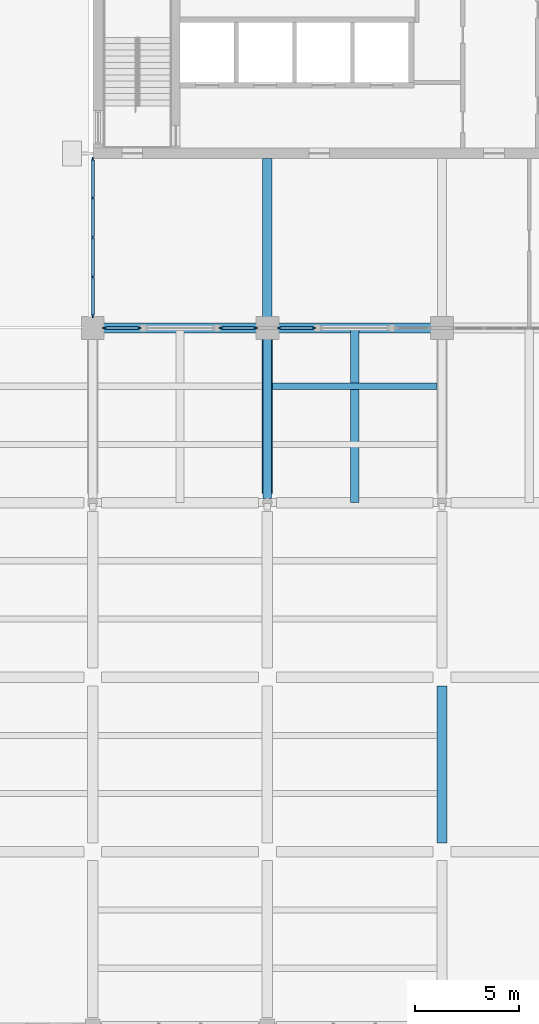
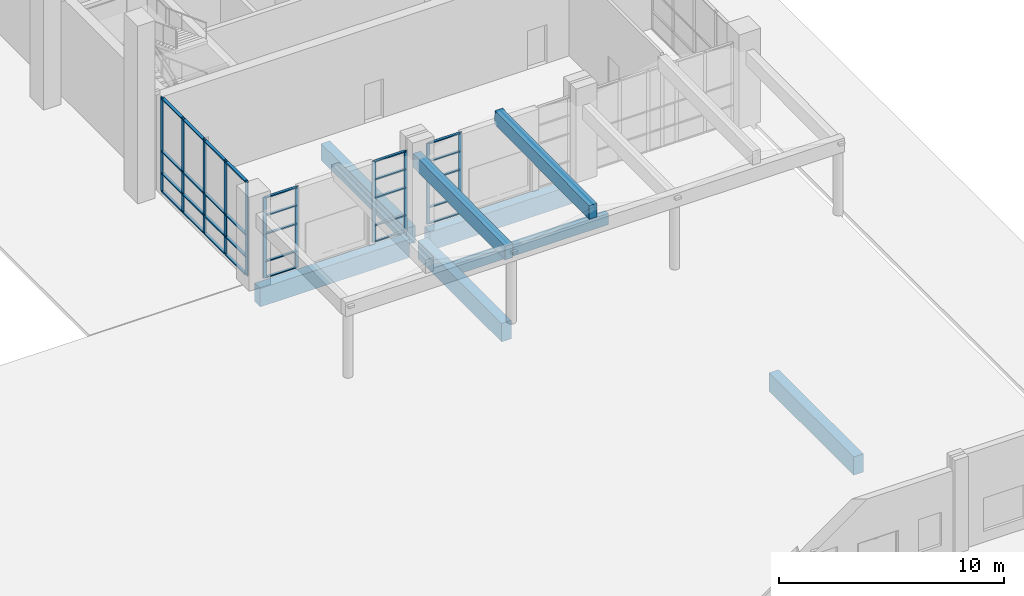
# One storey, part 8 of 74: 42 members, 8 beams, 4 elements without a shape of their own.
"""IFC4 building model written with IfcOpenShell, lengths in metres."""

from ifc_helpers import new_model, si_unit, direction, frame, origin, origin_2d, place, context, subcontext, project, spatial, rectangle, extrude, material, layer, layer_set, material_profile, profile_set, type_object, element, aggregate, save


model = new_model("IFC4")

# Units and contexts
model_context = context("Model", 3, precision=1e-05, world=origin(), true_north=direction((0.0, 1.0)))
body_context = subcontext(model_context, "Body", "Model", "MODEL_VIEW")
ifc_project = project(units=[si_unit("LENGTHUNIT", "METRE"), si_unit("AREAUNIT", "SQUARE_METRE"), si_unit("VOLUMEUNIT", "CUBIC_METRE"), si_unit("PLANEANGLEUNIT", "RADIAN"), si_unit("MASSUNIT", "GRAM", prefix="KILO")], contexts=[model_context])

# Site, building, storey
site_placement = place(None, origin())
site = spatial("IfcSite", under=ifc_project, at=site_placement, CompositionType="ELEMENT")
building_placement = place(site_placement, origin())
building = spatial("IfcBuilding", under=site, at=building_placement, Name="Rulbaag Community and Learning Centre", CompositionType="ELEMENT")
storey_placement = place(building_placement, origin())
storey = spatial("IfcBuildingStorey", under=building, at=storey_placement, Name="L00", CompositionType="ELEMENT", Elevation=0.0)

# Beams
ifc_material_1 = material(Name="Concrete M40", Category="concrete")
ifc_material_profile_1 = material_profile(ifc_material_1, rectangle(XDim=0.449951171875, YDim=0.89990234375, at=origin_2d()), Name="RB450x900")
ifc_profile_set_1 = profile_set([ifc_material_profile_1], Name="Concrete M40")
beam_type_1 = type_object("IfcBeamType", Name="B10 Ground floor beam 450x900 Concrete M40", PredefinedType="BEAM", material=ifc_profile_set_1)
beam_1_placement = place(storey_placement, frame((151.199951171875, 84.530029296875, -0.75), z_axis=(0.0, 1.0, 0.0), x_axis=(-1.0, 0.0, 0.0)))
element("IfcBeam", 1, at=beam_1_placement, inside=storey, type_object=beam_type_1, Name="BM-L00-19K-19L", PredefinedType="BEAM", context=body_context, shape_type="SweptSolid", body=[
    extrude(rectangle(XDim=0.449951171875, YDim=0.89990234375, at=origin_2d()), origin(), (0.0, 0.0, 1.0), 7.619873046875),
])
ifc_material_profile_2 = material_profile(ifc_material_1, rectangle(XDim=0.5, YDim=1.0, at=origin_2d()), Name="RB500x1000")
ifc_profile_set_2 = profile_set([ifc_material_profile_2], Name="Concrete M40")
beam_type_2 = type_object("IfcBeamType", Name="B12 Plaza deck beam 500x1000 Concrete M40", PredefinedType="BEAM", material=ifc_profile_set_2)
beam_2_placement = place(storey_placement, frame((143.0, 84.0, -0.800048828125), z_axis=(1.0, 0.0, 0.0), x_axis=(0.0, 1.0, 0.0)))
element("IfcBeam", 2, at=beam_2_placement, inside=storey, type_object=beam_type_2, Name="BM-L00-18K-19K", PredefinedType="BEAM", context=body_context, shape_type="SweptSolid", body=[
    extrude(rectangle(XDim=0.5, YDim=1.0, at=origin_2d()), origin(), (0.0, 0.0, 1.0), 7.669921875),
])
beam_3_placement = place(storey_placement, frame((151.199951171875, 76.030029296875, -0.800048828125), z_axis=(0.0, 1.0, 0.0), x_axis=(-1.0, 0.0, 0.0)))
element("IfcBeam", 3, at=beam_3_placement, inside=storey, type_object=beam_type_2, Name="BM-L00-19J-19K", PredefinedType="BEAM", context=body_context, shape_type="SweptSolid", body=[
    extrude(rectangle(XDim=0.5, YDim=1.0, at=origin_2d()), origin(), (0.0, 0.0, 1.0), 7.43994140625),
])
beam_4_placement = place(storey_placement, frame((151.72998046875, 84.0, -0.800048828125), z_axis=(1.0, 0.0, 0.0), x_axis=(0.0, 1.0, 0.0)))
element("IfcBeam", 4, at=beam_4_placement, inside=storey, type_object=beam_type_2, Name="BM-L00-19K-20K", PredefinedType="BEAM", context=body_context, shape_type="SweptSolid", body=[
    extrude(rectangle(XDim=0.5, YDim=1.0, at=origin_2d()), origin(), (0.0, 0.0, 1.0), 7.340087890625),
])
beam_5_placement = place(storey_placement, frame((159.60009765625, 59.22998046875, -0.800048828125), z_axis=(0.0, 1.0, 0.0), x_axis=(-1.0, 0.0, 0.0)))
element("IfcBeam", 5, at=beam_5_placement, inside=storey, type_object=beam_type_2, Name="BM-L00-20H-20I", PredefinedType="BEAM", context=body_context, shape_type="SweptSolid", body=[
    extrude(rectangle(XDim=0.5, YDim=1.0, at=origin_2d()), origin(), (0.0, 0.0, 1.0), 7.5400390625),
])
ifc_material_profile_3 = material_profile(ifc_material_1, rectangle(XDim=0.300048828125, YDim=0.60009765625, at=origin_2d()), Name="RB300x600")
ifc_profile_set_3 = profile_set([ifc_material_profile_3], Name="Concrete M40")
beam_type_3 = type_object("IfcBeamType", Name="B30 Secondary joist 300x600 Concrete M40", PredefinedType="BEAM", material=ifc_profile_set_3)
beam_6_placement = place(storey_placement, frame((151.449951171875, 81.199951171875, -0.60009765625), z_axis=(1.0, 0.0, 0.0), x_axis=(0.0, 1.0, 0.0)))
element("IfcBeam", 6, at=beam_6_placement, inside=storey, type_object=beam_type_3, Name="BM-JS-L00-19J-2", PredefinedType="BEAM", context=body_context, shape_type="SweptSolid", body=[
    extrude(rectangle(XDim=0.300048828125, YDim=0.60009765625, at=origin_2d()), origin(), (0.0, 0.0, 1.0), 7.900146484375),
])
ifc_material_profile_4 = material_profile(ifc_material_1, rectangle(XDim=0.39990234375, YDim=0.75, at=origin_2d()), Name="RB400x750")
ifc_profile_set_4 = profile_set([ifc_material_profile_4], Name="Concrete M40")
beam_type_4 = type_object("IfcBeamType", Name="BP1 Porch valley beam 400x750 Concrete M40", PredefinedType="BEAM", material=ifc_profile_set_4)
beam_7_placement = place(storey_placement, frame((151.199951171875, 84.0, 3.72314453125), z_axis=(0.0, -0.999954332431, -0.009556832724), x_axis=(1.0, 0.0, 0.0)))
element("IfcBeam", 7, at=beam_7_placement, inside=storey, type_object=beam_type_4, Name="BM-PORCH-T2", PredefinedType="BEAM", context=body_context, shape_type="SweptSolid", body=[
    extrude(rectangle(XDim=0.39990234375, YDim=0.75, at=origin_2d()), origin(), (0.0, 0.0, 1.0), 8.200439453125),
])
beam_8_placement = place(storey_placement, frame((155.39990234375, 84.0, 4.580322265625), z_axis=(0.0, -0.999954284482, -0.009561848503), x_axis=(1.0, 0.0, 0.0)))
element("IfcBeam", 8, at=beam_8_placement, inside=storey, type_object=beam_type_4, Name="BM-PORCH-TR2", PredefinedType="BEAM", context=body_context, shape_type="SweptSolid", body=[
    extrude(rectangle(XDim=0.39990234375, YDim=0.75, at=origin_2d()), origin(), (0.0, 0.0, 1.0), 8.400390625),
])

# Curtain wall, members
ifc_material_2 = material(Name="Aluminium", Category="aluminium")
ifc_layer_1 = layer(ifc_material_2, 0.14990234375)
ifc_layer_set_1 = layer_set([ifc_layer_1], Name="CW-S")
curtain_wall_type_1 = type_object("IfcCurtainWallType", Name="CW-S", PredefinedType="USERDEFINED", material=ifc_layer_set_1)
curtain_wall_1_placement = place(storey_placement, origin())
curtain_wall_1 = element("IfcCurtainWall", 9, at=curtain_wall_1_placement, inside=storey, type_object=curtain_wall_type_1, Name="GS-L00-01", ObjectType="UNITISED CURTAIN WALL", PredefinedType="USERDEFINED")
ifc_material_3 = material(Name="Aluminium mullion", Category="aluminium")
ifc_material_profile_5 = material_profile(ifc_material_3, rectangle(XDim=0.06005859375, YDim=0.175048828125, at=origin_2d()), Name="AL 60x175")
ifc_profile_set_5 = profile_set([ifc_material_profile_5], Name="Aluminium mullion")
member_type_1 = type_object("IfcMemberType", Name="CW-S-MUL", PredefinedType="MULLION", material=ifc_profile_set_5)
member_1_placement = place(storey_placement, frame((143.3798828125, 84.0, 0.0), z_axis=(0.0, 0.0, 1.0), x_axis=(0.0, 1.0, 0.0)))
member_1 = element("IfcMember", 10, at=member_1_placement, type_object=member_type_1, Name="GS mullion 1", PredefinedType="MULLION", context=body_context, shape_type="SweptSolid", body=[
    extrude(rectangle(XDim=0.06005859375, YDim=0.175048828125, at=origin_2d()), origin(), (0.0, 0.0, 1.0), 4.39990234375),
])
member_2_placement = place(storey_placement, frame((145.02001953125, 84.0, 0.0), z_axis=(0.0, 0.0, 1.0), x_axis=(0.0, 1.0, 0.0)))
member_2 = element("IfcMember", 11, at=member_2_placement, type_object=member_type_1, Name="GS mullion 2", PredefinedType="MULLION", context=body_context, shape_type="SweptSolid", body=[
    extrude(rectangle(XDim=0.06005859375, YDim=0.175048828125, at=origin_2d()), origin(), (0.0, 0.0, 1.0), 4.39990234375),
])

curtain_wall_2_placement = place(storey_placement, origin())
curtain_wall_2 = element("IfcCurtainWall", 12, at=curtain_wall_2_placement, inside=storey, type_object=curtain_wall_type_1, Name="GS-L00-02", ObjectType="UNITISED CURTAIN WALL", PredefinedType="USERDEFINED")
member_3_placement = place(storey_placement, frame((148.97998046875, 84.0, 0.0), z_axis=(0.0, 0.0, 1.0), x_axis=(0.0, 1.0, 0.0)))
member_3 = element("IfcMember", 13, at=member_3_placement, type_object=member_type_1, Name="GS mullion 1", PredefinedType="MULLION", context=body_context, shape_type="SweptSolid", body=[
    extrude(rectangle(XDim=0.06005859375, YDim=0.175048828125, at=origin_2d()), origin(), (0.0, 0.0, 1.0), 4.39990234375),
])
member_4_placement = place(storey_placement, frame((150.6201171875, 84.0, 0.0), z_axis=(0.0, 0.0, 1.0), x_axis=(0.0, 1.0, 0.0)))
member_4 = element("IfcMember", 14, at=member_4_placement, type_object=member_type_1, Name="GS mullion 2", PredefinedType="MULLION", context=body_context, shape_type="SweptSolid", body=[
    extrude(rectangle(XDim=0.06005859375, YDim=0.175048828125, at=origin_2d()), origin(), (0.0, 0.0, 1.0), 4.39990234375),
])

curtain_wall_3_placement = place(storey_placement, origin())
curtain_wall_3 = element("IfcCurtainWall", 15, at=curtain_wall_3_placement, inside=storey, type_object=curtain_wall_type_1, Name="GS-L00-03", ObjectType="UNITISED CURTAIN WALL", PredefinedType="USERDEFINED")
member_5_placement = place(storey_placement, frame((151.780029296875, 84.0, 0.0), z_axis=(0.0, 0.0, 1.0), x_axis=(0.0, 1.0, 0.0)))
member_5 = element("IfcMember", 16, at=member_5_placement, type_object=member_type_1, Name="GS mullion 1", PredefinedType="MULLION", context=body_context, shape_type="SweptSolid", body=[
    extrude(rectangle(XDim=0.06005859375, YDim=0.175048828125, at=origin_2d()), origin(), (0.0, 0.0, 1.0), 4.39990234375),
])
member_6_placement = place(storey_placement, frame((153.419921875, 84.0, 0.0), z_axis=(0.0, 0.0, 1.0), x_axis=(0.0, 1.0, 0.0)))
member_6 = element("IfcMember", 17, at=member_6_placement, type_object=member_type_1, Name="GS mullion 2", PredefinedType="MULLION", context=body_context, shape_type="SweptSolid", body=[
    extrude(rectangle(XDim=0.06005859375, YDim=0.175048828125, at=origin_2d()), origin(), (0.0, 0.0, 1.0), 4.39990234375),
])

# Member
ifc_material_4 = material(Name="Aluminium transom", Category="aluminium")
ifc_material_profile_6 = material_profile(ifc_material_4, rectangle(XDim=0.125, YDim=0.06005859375, at=origin_2d()), Name="AL 60x125 T")
ifc_profile_set_6 = profile_set([ifc_material_profile_6], Name="Aluminium transom")
member_type_2 = type_object("IfcMemberType", Name="CW-S-TRN", PredefinedType="USERDEFINED", material=ifc_profile_set_6)
member_7_placement = place(storey_placement, frame((143.409912109375, 84.0, 0.030029296875), z_axis=(1.0, 0.0, 0.0), x_axis=(0.0, 1.0, 0.0)))
member_7 = element("IfcMember", 18, at=member_7_placement, type_object=member_type_2, Name="GS transom 1.1", ObjectType="TRANSOM", PredefinedType="USERDEFINED", context=body_context, shape_type="SweptSolid", body=[
    extrude(rectangle(XDim=0.125, YDim=0.06005859375, at=origin_2d()), origin(), (0.0, 0.0, 1.0), 1.580078125),
])

member_8_placement = place(storey_placement, frame((143.409912109375, 84.0, 0.89990234375), z_axis=(1.0, 0.0, 0.0), x_axis=(0.0, 1.0, 0.0)))
member_8 = element("IfcMember", 19, at=member_8_placement, type_object=member_type_2, Name="GS transom 1.2", ObjectType="TRANSOM", PredefinedType="USERDEFINED", context=body_context, shape_type="SweptSolid", body=[
    extrude(rectangle(XDim=0.125, YDim=0.06005859375, at=origin_2d()), origin(), (0.0, 0.0, 1.0), 1.580078125),
])

member_9_placement = place(storey_placement, frame((143.409912109375, 84.0, 2.39990234375), z_axis=(1.0, 0.0, 0.0), x_axis=(0.0, 1.0, 0.0)))
member_9 = element("IfcMember", 20, at=member_9_placement, type_object=member_type_2, Name="GS transom 1.3", ObjectType="TRANSOM", PredefinedType="USERDEFINED", context=body_context, shape_type="SweptSolid", body=[
    extrude(rectangle(XDim=0.125, YDim=0.06005859375, at=origin_2d()), origin(), (0.0, 0.0, 1.0), 1.580078125),
])

member_10_placement = place(storey_placement, frame((143.409912109375, 84.0, 3.39990234375), z_axis=(1.0, 0.0, 0.0), x_axis=(0.0, 1.0, 0.0)))
member_10 = element("IfcMember", 21, at=member_10_placement, type_object=member_type_2, Name="GS transom 1.4", ObjectType="TRANSOM", PredefinedType="USERDEFINED", context=body_context, shape_type="SweptSolid", body=[
    extrude(rectangle(XDim=0.125, YDim=0.06005859375, at=origin_2d()), origin(), (0.0, 0.0, 1.0), 1.580078125),
])

member_11_placement = place(storey_placement, frame((143.409912109375, 84.0, 4.3701171875), z_axis=(1.0, 0.0, 0.0), x_axis=(0.0, 1.0, 0.0)))
member_11 = element("IfcMember", 22, at=member_11_placement, type_object=member_type_2, Name="GS transom 1.5", ObjectType="TRANSOM", PredefinedType="USERDEFINED", context=body_context, shape_type="SweptSolid", body=[
    extrude(rectangle(XDim=0.125, YDim=0.06005859375, at=origin_2d()), origin(), (0.0, 0.0, 1.0), 1.580078125),
])

aggregate(curtain_wall_1, [member_1, member_2, member_7, member_8, member_9, member_10, member_11])

member_12_placement = place(storey_placement, frame((149.010009765625, 84.0, 0.030029296875), z_axis=(1.0, 0.0, 0.0), x_axis=(0.0, 1.0, 0.0)))
member_12 = element("IfcMember", 23, at=member_12_placement, type_object=member_type_2, Name="GS transom 1.1", ObjectType="TRANSOM", PredefinedType="USERDEFINED", context=body_context, shape_type="SweptSolid", body=[
    extrude(rectangle(XDim=0.125, YDim=0.06005859375, at=origin_2d()), origin(), (0.0, 0.0, 1.0), 1.580078125),
])

member_13_placement = place(storey_placement, frame((149.010009765625, 84.0, 0.89990234375), z_axis=(1.0, 0.0, 0.0), x_axis=(0.0, 1.0, 0.0)))
member_13 = element("IfcMember", 24, at=member_13_placement, type_object=member_type_2, Name="GS transom 1.2", ObjectType="TRANSOM", PredefinedType="USERDEFINED", context=body_context, shape_type="SweptSolid", body=[
    extrude(rectangle(XDim=0.125, YDim=0.06005859375, at=origin_2d()), origin(), (0.0, 0.0, 1.0), 1.580078125),
])

member_14_placement = place(storey_placement, frame((149.010009765625, 84.0, 2.39990234375), z_axis=(1.0, 0.0, 0.0), x_axis=(0.0, 1.0, 0.0)))
member_14 = element("IfcMember", 25, at=member_14_placement, type_object=member_type_2, Name="GS transom 1.3", ObjectType="TRANSOM", PredefinedType="USERDEFINED", context=body_context, shape_type="SweptSolid", body=[
    extrude(rectangle(XDim=0.125, YDim=0.06005859375, at=origin_2d()), origin(), (0.0, 0.0, 1.0), 1.580078125),
])

member_15_placement = place(storey_placement, frame((149.010009765625, 84.0, 3.39990234375), z_axis=(1.0, 0.0, 0.0), x_axis=(0.0, 1.0, 0.0)))
member_15 = element("IfcMember", 26, at=member_15_placement, type_object=member_type_2, Name="GS transom 1.4", ObjectType="TRANSOM", PredefinedType="USERDEFINED", context=body_context, shape_type="SweptSolid", body=[
    extrude(rectangle(XDim=0.125, YDim=0.06005859375, at=origin_2d()), origin(), (0.0, 0.0, 1.0), 1.580078125),
])

member_16_placement = place(storey_placement, frame((149.010009765625, 84.0, 4.3701171875), z_axis=(1.0, 0.0, 0.0), x_axis=(0.0, 1.0, 0.0)))
member_16 = element("IfcMember", 27, at=member_16_placement, type_object=member_type_2, Name="GS transom 1.5", ObjectType="TRANSOM", PredefinedType="USERDEFINED", context=body_context, shape_type="SweptSolid", body=[
    extrude(rectangle(XDim=0.125, YDim=0.06005859375, at=origin_2d()), origin(), (0.0, 0.0, 1.0), 1.580078125),
])

aggregate(curtain_wall_2, [member_3, member_4, member_12, member_13, member_14, member_15, member_16])

member_17_placement = place(storey_placement, frame((151.81005859375, 84.0, 0.030029296875), z_axis=(1.0, 0.0, 0.0), x_axis=(0.0, 1.0, 0.0)))
member_17 = element("IfcMember", 28, at=member_17_placement, type_object=member_type_2, Name="GS transom 1.1", ObjectType="TRANSOM", PredefinedType="USERDEFINED", context=body_context, shape_type="SweptSolid", body=[
    extrude(rectangle(XDim=0.125, YDim=0.06005859375, at=origin_2d()), origin(), (0.0, 0.0, 1.0), 1.579833984375),
])

member_18_placement = place(storey_placement, frame((151.81005859375, 84.0, 0.89990234375), z_axis=(1.0, 0.0, 0.0), x_axis=(0.0, 1.0, 0.0)))
member_18 = element("IfcMember", 29, at=member_18_placement, type_object=member_type_2, Name="GS transom 1.2", ObjectType="TRANSOM", PredefinedType="USERDEFINED", context=body_context, shape_type="SweptSolid", body=[
    extrude(rectangle(XDim=0.125, YDim=0.06005859375, at=origin_2d()), origin(), (0.0, 0.0, 1.0), 1.579833984375),
])

member_19_placement = place(storey_placement, frame((151.81005859375, 84.0, 2.39990234375), z_axis=(1.0, 0.0, 0.0), x_axis=(0.0, 1.0, 0.0)))
member_19 = element("IfcMember", 30, at=member_19_placement, type_object=member_type_2, Name="GS transom 1.3", ObjectType="TRANSOM", PredefinedType="USERDEFINED", context=body_context, shape_type="SweptSolid", body=[
    extrude(rectangle(XDim=0.125, YDim=0.06005859375, at=origin_2d()), origin(), (0.0, 0.0, 1.0), 1.579833984375),
])

member_20_placement = place(storey_placement, frame((151.81005859375, 84.0, 3.39990234375), z_axis=(1.0, 0.0, 0.0), x_axis=(0.0, 1.0, 0.0)))
member_20 = element("IfcMember", 31, at=member_20_placement, type_object=member_type_2, Name="GS transom 1.4", ObjectType="TRANSOM", PredefinedType="USERDEFINED", context=body_context, shape_type="SweptSolid", body=[
    extrude(rectangle(XDim=0.125, YDim=0.06005859375, at=origin_2d()), origin(), (0.0, 0.0, 1.0), 1.579833984375),
])

member_21_placement = place(storey_placement, frame((151.81005859375, 84.0, 4.3701171875), z_axis=(1.0, 0.0, 0.0), x_axis=(0.0, 1.0, 0.0)))
member_21 = element("IfcMember", 32, at=member_21_placement, type_object=member_type_2, Name="GS transom 1.5", ObjectType="TRANSOM", PredefinedType="USERDEFINED", context=body_context, shape_type="SweptSolid", body=[
    extrude(rectangle(XDim=0.125, YDim=0.06005859375, at=origin_2d()), origin(), (0.0, 0.0, 1.0), 1.579833984375),
])

aggregate(curtain_wall_3, [member_5, member_6, member_17, member_18, member_19, member_20, member_21])

# Curtain wall, members
ifc_layer_2 = layer(ifc_material_2, 0.14990234375)
ifc_layer_set_2 = layer_set([ifc_layer_2], Name="CW-T")
curtain_wall_type_2 = type_object("IfcCurtainWallType", Name="CW-T", PredefinedType="USERDEFINED", material=ifc_layer_set_2)
curtain_wall_4_placement = place(storey_placement, origin())
curtain_wall_4 = element("IfcCurtainWall", 33, at=curtain_wall_4_placement, inside=storey, type_object=curtain_wall_type_2, Name="GT-L00-02", ObjectType="UNITISED CURTAIN WALL", PredefinedType="USERDEFINED")
ifc_material_profile_7 = material_profile(ifc_material_3, rectangle(XDim=0.06494140625, YDim=0.199951171875, at=origin_2d()), Name="AL 65x200")
ifc_profile_set_7 = profile_set([ifc_material_profile_7], Name="Aluminium mullion")
member_type_3 = type_object("IfcMemberType", Name="CW-T-MUL", PredefinedType="MULLION", material=ifc_profile_set_7)
member_22_placement = place(storey_placement, frame((142.800048828125, 84.58251953125, 0.0), z_axis=(0.0, 0.0, 1.0), x_axis=(-1.0, 0.0, 0.0)))
member_22 = element("IfcMember", 34, at=member_22_placement, type_object=member_type_3, Name="GT mullion 1", PredefinedType="MULLION", context=body_context, shape_type="SweptSolid", body=[
    extrude(rectangle(XDim=0.06494140625, YDim=0.199951171875, at=origin_2d()), origin(), (0.0, 0.0, 1.0), 5.10009765625),
])
member_23_placement = place(storey_placement, frame((142.800048828125, 86.449951171875, 0.0), z_axis=(0.0, 0.0, 1.0), x_axis=(-1.0, 0.0, 0.0)))
member_23 = element("IfcMember", 35, at=member_23_placement, type_object=member_type_3, Name="GT mullion 2", PredefinedType="MULLION", context=body_context, shape_type="SweptSolid", body=[
    extrude(rectangle(XDim=0.06494140625, YDim=0.199951171875, at=origin_2d()), origin(), (0.0, 0.0, 1.0), 5.10009765625),
])
member_24_placement = place(storey_placement, frame((142.800048828125, 88.35009765625, 0.0), z_axis=(0.0, 0.0, 1.0), x_axis=(-1.0, 0.0, 0.0)))
member_24 = element("IfcMember", 36, at=member_24_placement, type_object=member_type_3, Name="GT mullion 3", PredefinedType="MULLION", context=body_context, shape_type="SweptSolid", body=[
    extrude(rectangle(XDim=0.06494140625, YDim=0.199951171875, at=origin_2d()), origin(), (0.0, 0.0, 1.0), 5.10009765625),
])
member_25_placement = place(storey_placement, frame((142.800048828125, 90.25, 0.0), z_axis=(0.0, 0.0, 1.0), x_axis=(-1.0, 0.0, 0.0)))
member_25 = element("IfcMember", 37, at=member_25_placement, type_object=member_type_3, Name="GT mullion 4", PredefinedType="MULLION", context=body_context, shape_type="SweptSolid", body=[
    extrude(rectangle(XDim=0.06494140625, YDim=0.199951171875, at=origin_2d()), origin(), (0.0, 0.0, 1.0), 5.10009765625),
])
member_26_placement = place(storey_placement, frame((142.800048828125, 92.117431640625, 0.0), z_axis=(0.0, 0.0, 1.0), x_axis=(-1.0, 0.0, 0.0)))
member_26 = element("IfcMember", 38, at=member_26_placement, type_object=member_type_3, Name="GT mullion 5", PredefinedType="MULLION", context=body_context, shape_type="SweptSolid", body=[
    extrude(rectangle(XDim=0.06494140625, YDim=0.199951171875, at=origin_2d()), origin(), (0.0, 0.0, 1.0), 5.10009765625),
])
ifc_material_profile_8 = material_profile(ifc_material_4, rectangle(XDim=0.14990234375, YDim=0.06494140625, at=origin_2d()), Name="AL 65x150 T")
ifc_profile_set_8 = profile_set([ifc_material_profile_8], Name="Aluminium transom")
member_type_4 = type_object("IfcMemberType", Name="CW-T-TRN", PredefinedType="USERDEFINED", material=ifc_profile_set_8)
member_27_placement = place(storey_placement, frame((142.800048828125, 84.614990234375, 0.032470703125), z_axis=(0.0, 1.0, 0.0), x_axis=(-1.0, 0.0, 0.0)))
member_27 = element("IfcMember", 39, at=member_27_placement, type_object=member_type_4, Name="GT transom 1.1", ObjectType="TRANSOM", PredefinedType="USERDEFINED", context=body_context, shape_type="SweptSolid", body=[
    extrude(rectangle(XDim=0.14990234375, YDim=0.06494140625, at=origin_2d()), origin(), (0.0, 0.0, 1.0), 1.802490234375),
])
member_28_placement = place(storey_placement, frame((142.800048828125, 84.614990234375, 1.0), z_axis=(0.0, 1.0, 0.0), x_axis=(-1.0, 0.0, 0.0)))
member_28 = element("IfcMember", 40, at=member_28_placement, type_object=member_type_4, Name="GT transom 1.2", ObjectType="TRANSOM", PredefinedType="USERDEFINED", context=body_context, shape_type="SweptSolid", body=[
    extrude(rectangle(XDim=0.14990234375, YDim=0.06494140625, at=origin_2d()), origin(), (0.0, 0.0, 1.0), 1.802490234375),
])
member_29_placement = place(storey_placement, frame((142.800048828125, 84.614990234375, 2.199951171875), z_axis=(0.0, 1.0, 0.0), x_axis=(-1.0, 0.0, 0.0)))
member_29 = element("IfcMember", 41, at=member_29_placement, type_object=member_type_4, Name="GT transom 1.3", ObjectType="TRANSOM", PredefinedType="USERDEFINED", context=body_context, shape_type="SweptSolid", body=[
    extrude(rectangle(XDim=0.14990234375, YDim=0.06494140625, at=origin_2d()), origin(), (0.0, 0.0, 1.0), 1.802490234375),
])
member_30_placement = place(storey_placement, frame((142.800048828125, 84.614990234375, 5.0673828125), z_axis=(0.0, 1.0, 0.0), x_axis=(-1.0, 0.0, 0.0)))
member_30 = element("IfcMember", 42, at=member_30_placement, type_object=member_type_4, Name="GT transom 1.4", ObjectType="TRANSOM", PredefinedType="USERDEFINED", context=body_context, shape_type="SweptSolid", body=[
    extrude(rectangle(XDim=0.14990234375, YDim=0.06494140625, at=origin_2d()), origin(), (0.0, 0.0, 1.0), 1.802490234375),
])
member_31_placement = place(storey_placement, frame((142.800048828125, 86.482421875, 0.032470703125), z_axis=(0.0, 1.0, 0.0), x_axis=(-1.0, 0.0, 0.0)))
member_31 = element("IfcMember", 43, at=member_31_placement, type_object=member_type_4, Name="GT transom 2.1", ObjectType="TRANSOM", PredefinedType="USERDEFINED", context=body_context, shape_type="SweptSolid", body=[
    extrude(rectangle(XDim=0.14990234375, YDim=0.06494140625, at=origin_2d()), origin(), (0.0, 0.0, 1.0), 1.8349609375),
])
member_32_placement = place(storey_placement, frame((142.800048828125, 86.482421875, 1.0), z_axis=(0.0, 1.0, 0.0), x_axis=(-1.0, 0.0, 0.0)))
member_32 = element("IfcMember", 44, at=member_32_placement, type_object=member_type_4, Name="GT transom 2.2", ObjectType="TRANSOM", PredefinedType="USERDEFINED", context=body_context, shape_type="SweptSolid", body=[
    extrude(rectangle(XDim=0.14990234375, YDim=0.06494140625, at=origin_2d()), origin(), (0.0, 0.0, 1.0), 1.8349609375),
])
member_33_placement = place(storey_placement, frame((142.800048828125, 86.482421875, 2.199951171875), z_axis=(0.0, 1.0, 0.0), x_axis=(-1.0, 0.0, 0.0)))
member_33 = element("IfcMember", 45, at=member_33_placement, type_object=member_type_4, Name="GT transom 2.3", ObjectType="TRANSOM", PredefinedType="USERDEFINED", context=body_context, shape_type="SweptSolid", body=[
    extrude(rectangle(XDim=0.14990234375, YDim=0.06494140625, at=origin_2d()), origin(), (0.0, 0.0, 1.0), 1.8349609375),
])
member_34_placement = place(storey_placement, frame((142.800048828125, 86.482421875, 5.0673828125), z_axis=(0.0, 1.0, 0.0), x_axis=(-1.0, 0.0, 0.0)))
member_34 = element("IfcMember", 46, at=member_34_placement, type_object=member_type_4, Name="GT transom 2.4", ObjectType="TRANSOM", PredefinedType="USERDEFINED", context=body_context, shape_type="SweptSolid", body=[
    extrude(rectangle(XDim=0.14990234375, YDim=0.06494140625, at=origin_2d()), origin(), (0.0, 0.0, 1.0), 1.8349609375),
])
member_35_placement = place(storey_placement, frame((142.800048828125, 88.382568359375, 0.032470703125), z_axis=(0.0, 1.0, 0.0), x_axis=(-1.0, 0.0, 0.0)))
member_35 = element("IfcMember", 47, at=member_35_placement, type_object=member_type_4, Name="GT transom 3.1", ObjectType="TRANSOM", PredefinedType="USERDEFINED", context=body_context, shape_type="SweptSolid", body=[
    extrude(rectangle(XDim=0.14990234375, YDim=0.06494140625, at=origin_2d()), origin(), (0.0, 0.0, 1.0), 1.8349609375),
])
member_36_placement = place(storey_placement, frame((142.800048828125, 88.382568359375, 1.0), z_axis=(0.0, 1.0, 0.0), x_axis=(-1.0, 0.0, 0.0)))
member_36 = element("IfcMember", 48, at=member_36_placement, type_object=member_type_4, Name="GT transom 3.2", ObjectType="TRANSOM", PredefinedType="USERDEFINED", context=body_context, shape_type="SweptSolid", body=[
    extrude(rectangle(XDim=0.14990234375, YDim=0.06494140625, at=origin_2d()), origin(), (0.0, 0.0, 1.0), 1.8349609375),
])
member_37_placement = place(storey_placement, frame((142.800048828125, 88.382568359375, 2.199951171875), z_axis=(0.0, 1.0, 0.0), x_axis=(-1.0, 0.0, 0.0)))
member_37 = element("IfcMember", 49, at=member_37_placement, type_object=member_type_4, Name="GT transom 3.3", ObjectType="TRANSOM", PredefinedType="USERDEFINED", context=body_context, shape_type="SweptSolid", body=[
    extrude(rectangle(XDim=0.14990234375, YDim=0.06494140625, at=origin_2d()), origin(), (0.0, 0.0, 1.0), 1.8349609375),
])
member_38_placement = place(storey_placement, frame((142.800048828125, 88.382568359375, 5.0673828125), z_axis=(0.0, 1.0, 0.0), x_axis=(-1.0, 0.0, 0.0)))
member_38 = element("IfcMember", 50, at=member_38_placement, type_object=member_type_4, Name="GT transom 3.4", ObjectType="TRANSOM", PredefinedType="USERDEFINED", context=body_context, shape_type="SweptSolid", body=[
    extrude(rectangle(XDim=0.14990234375, YDim=0.06494140625, at=origin_2d()), origin(), (0.0, 0.0, 1.0), 1.8349609375),
])
member_39_placement = place(storey_placement, frame((142.800048828125, 90.282470703125, 0.032470703125), z_axis=(0.0, 1.0, 0.0), x_axis=(-1.0, 0.0, 0.0)))
member_39 = element("IfcMember", 51, at=member_39_placement, type_object=member_type_4, Name="GT transom 4.1", ObjectType="TRANSOM", PredefinedType="USERDEFINED", context=body_context, shape_type="SweptSolid", body=[
    extrude(rectangle(XDim=0.14990234375, YDim=0.06494140625, at=origin_2d()), origin(), (0.0, 0.0, 1.0), 1.802490234375),
])
member_40_placement = place(storey_placement, frame((142.800048828125, 90.282470703125, 1.0), z_axis=(0.0, 1.0, 0.0), x_axis=(-1.0, 0.0, 0.0)))
member_40 = element("IfcMember", 52, at=member_40_placement, type_object=member_type_4, Name="GT transom 4.2", ObjectType="TRANSOM", PredefinedType="USERDEFINED", context=body_context, shape_type="SweptSolid", body=[
    extrude(rectangle(XDim=0.14990234375, YDim=0.06494140625, at=origin_2d()), origin(), (0.0, 0.0, 1.0), 1.802490234375),
])
member_41_placement = place(storey_placement, frame((142.800048828125, 90.282470703125, 2.199951171875), z_axis=(0.0, 1.0, 0.0), x_axis=(-1.0, 0.0, 0.0)))
member_41 = element("IfcMember", 53, at=member_41_placement, type_object=member_type_4, Name="GT transom 4.3", ObjectType="TRANSOM", PredefinedType="USERDEFINED", context=body_context, shape_type="SweptSolid", body=[
    extrude(rectangle(XDim=0.14990234375, YDim=0.06494140625, at=origin_2d()), origin(), (0.0, 0.0, 1.0), 1.802490234375),
])
member_42_placement = place(storey_placement, frame((142.800048828125, 90.282470703125, 5.0673828125), z_axis=(0.0, 1.0, 0.0), x_axis=(-1.0, 0.0, 0.0)))
member_42 = element("IfcMember", 54, at=member_42_placement, type_object=member_type_4, Name="GT transom 4.4", ObjectType="TRANSOM", PredefinedType="USERDEFINED", context=body_context, shape_type="SweptSolid", body=[
    extrude(rectangle(XDim=0.14990234375, YDim=0.06494140625, at=origin_2d()), origin(), (0.0, 0.0, 1.0), 1.802490234375),
])
aggregate(curtain_wall_4, [member_22, member_23, member_24, member_25, member_26, member_27, member_28, member_29, member_30, member_31, member_32, member_33, member_34, member_35, member_36, member_37, member_38, member_39, member_40, member_41, member_42])

save(model, "model.ifc")
